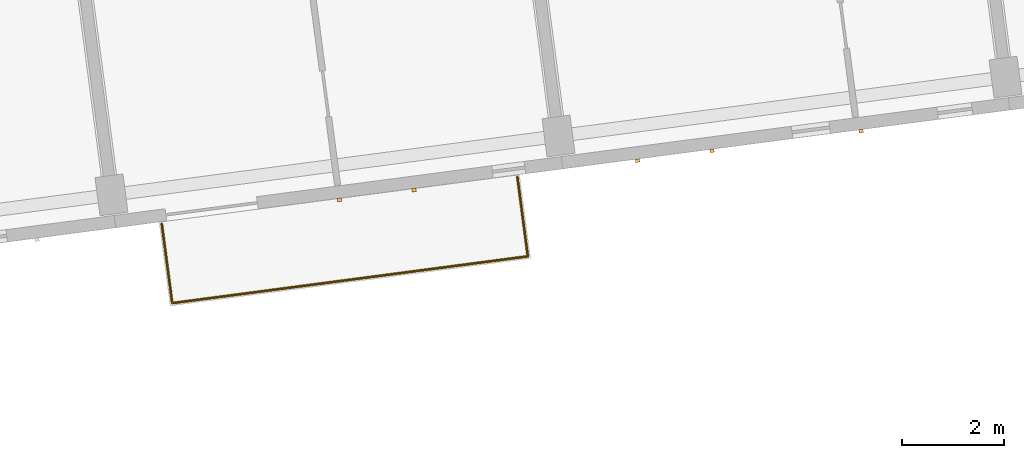
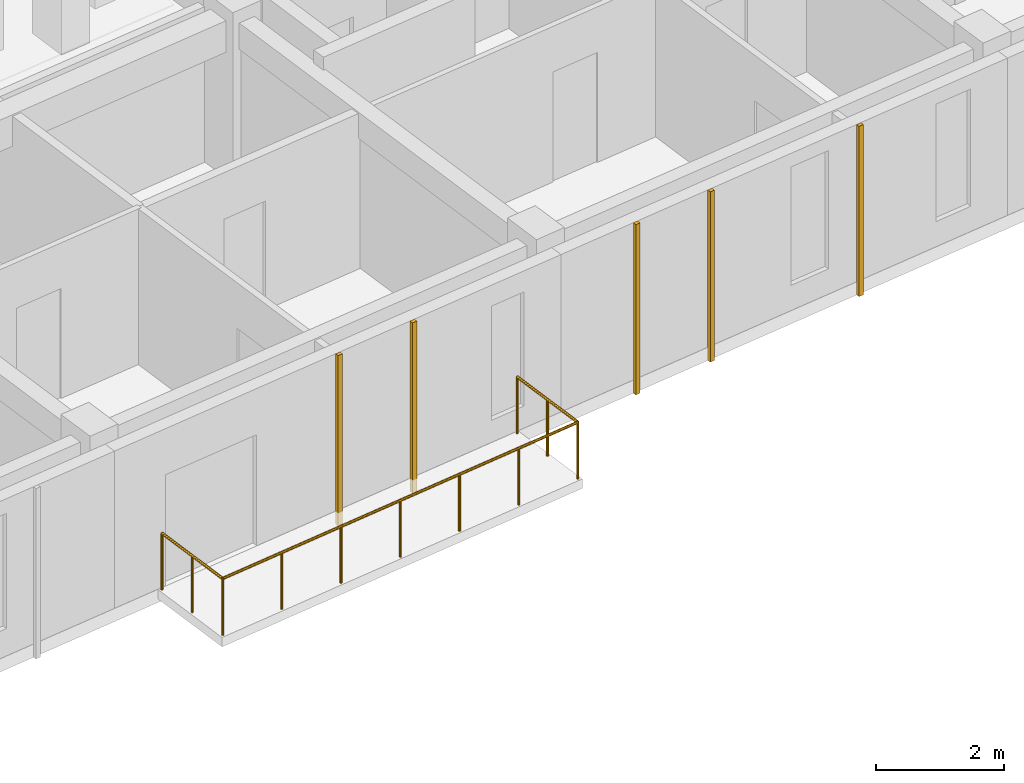
# One storey, part 44 of 68: 5 coverings, 1 railing.
"""IFC4 building model written with IfcOpenShell, lengths in metres."""

import ifcopenshell
import ifcopenshell.guid

model = None  # the IFC model being written
_history = None  # IfcOwnerHistory: only IFC2X3 demands one
_inside = {}  # id of a spatial element -> (the spatial element, [elements in it])
_under = {}  # id of a project, library or spatial element -> (it, [spatial elements below it])
_declared = {}  # id of a project -> (the project, [libraries it declares])
_typed = {}  # id of a type object -> (the type object, [elements of that type])
_made_of = {}  # id of a material, layer set ... -> (it, [elements and type objects made of it])


def new_model(schema):
    """Start an empty IFC model of exactly this schema.

    Asked for "IFC4X3", IfcOpenShell would pick the latest addendum, in which some entities
    have other attributes; the version numbers below select the first issue.
    IFC2X3 requires an IfcOwnerHistory on every rooted entity: one is made here for all.
    """
    global model, _history
    if schema == "IFC4X3":
        model = ifcopenshell.file(schema_version=(4, 3, 0, 0))
    else:
        model = ifcopenshell.file(schema=schema)
    _inside.clear()
    _under.clear()
    _declared.clear()
    _typed.clear()
    _made_of.clear()
    _history = None
    if model.schema == "IFC2X3":
        org = make("IfcOrganization", Name="unknown")
        user = make(
            "IfcPersonAndOrganization",
            ThePerson=make("IfcPerson", FamilyName="unknown"),
            TheOrganization=org,
        )
        app = make(
            "IfcApplication",
            ApplicationDeveloper=org,
            Version="unknown",
            ApplicationFullName="unknown",
            ApplicationIdentifier="unknown",
        )
        _history = make(
            "IfcOwnerHistory",
            OwningUser=user,
            OwningApplication=app,
            ChangeAction="ADDED",
            CreationDate=0,
        )
    return model


def make(cls, **values):
    """One entity of the class cls with the attributes given. An attribute that is None is left unset."""
    return model.create_entity(
        cls, **{name: value for name, value in values.items() if value is not None}
    )


def rooted(cls, **values):
    """An entity with a GlobalId (a new one), such as an element, a storey or a relation."""
    return make(cls, GlobalId=ifcopenshell.guid.new(), OwnerHistory=_history, **values)


def si_unit(unit_type, name, prefix=None):
    """IfcSIUnit, for example si_unit("LENGTHUNIT", "METRE", prefix="MILLI")."""
    return make("IfcSIUnit", UnitType=unit_type, Prefix=prefix, Name=name)


def assignment(units):
    """IfcUnitAssignment: the units of a project."""
    return None if units is None else make("IfcUnitAssignment", Units=units)


def point(xyz):
    """IfcCartesianPoint."""
    return None if xyz is None else make("IfcCartesianPoint", Coordinates=xyz)


def direction(xyz):
    """IfcDirection."""
    return None if xyz is None else make("IfcDirection", DirectionRatios=xyz)


def frame(location, z_axis=None, x_axis=None):
    """IfcAxis2Placement3D, a coordinate frame: its origin and axes. An axis left out is left unset."""
    return make(
        "IfcAxis2Placement3D",
        Location=point(location),
        Axis=direction(z_axis),
        RefDirection=direction(x_axis),
    )


def frame_2d(location, x_axis=None):
    """IfcAxis2Placement2D, a coordinate frame in the plane: its origin and x axis."""
    return make(
        "IfcAxis2Placement2D", Location=point(location), RefDirection=direction(x_axis)
    )


def origin():
    """The frame at (0, 0, 0) with its axes left unset."""
    return frame((0.0, 0.0, 0.0))


def origin_2d():
    """The frame at (0, 0) in the plane with its x axis left unset."""
    return frame_2d((0.0, 0.0))


def place(relative_to, where):
    """IfcLocalPlacement: puts the frame where relative to a parent placement (None: the world)."""
    return make(
        "IfcLocalPlacement", PlacementRelTo=relative_to, RelativePlacement=where
    )


def context(
    kind, dimensions, precision=None, world=None, true_north=None, identifier=None
):
    """IfcGeometricRepresentationContext, for example the 3D "Model" context."""
    return make(
        "IfcGeometricRepresentationContext",
        ContextIdentifier=identifier,
        ContextType=kind,
        CoordinateSpaceDimension=dimensions,
        Precision=precision,
        WorldCoordinateSystem=world,
        TrueNorth=true_north,
    )


def subcontext(parent, identifier, kind, view, scale=None):
    """IfcGeometricRepresentationSubContext, for example "Body" below "Model"."""
    return make(
        "IfcGeometricRepresentationSubContext",
        ContextIdentifier=identifier,
        ContextType=kind,
        ParentContext=parent,
        TargetScale=scale,
        TargetView=view,
    )


def project(units=None, contexts=None):
    """IfcProject with its units and contexts."""
    return rooted(
        "IfcProject",
        Name="project",
        RepresentationContexts=contexts,
        UnitsInContext=assignment(units),
    )


def spatial(cls, under=None, at=None, **own):
    """A site, building, storey or space (cls), placed at a placement, below another one or the project."""
    s = rooted(cls, ObjectPlacement=at, **own)
    if under is not None:
        _under.setdefault(under.id(), (under, []))[1].append(s)
    return s


def profile(cls, at=None, kind="AREA", **sizes):
    """A parametric profile (cls). Its sizes go by their IFC names, for example OverallWidth=200.0."""
    return make(cls, ProfileType=kind, Position=at, **sizes)


def rectangle(**sizes):
    """IfcRectangleProfileDef."""
    return profile("IfcRectangleProfileDef", **sizes)


def circle(**sizes):
    """IfcCircleProfileDef."""
    return profile("IfcCircleProfileDef", **sizes)


def extrude(swept, where, along, depth):
    """IfcExtrudedAreaSolid: the profile swept, set in the frame where, extruded along a direction by depth."""
    return make(
        "IfcExtrudedAreaSolid",
        SweptArea=swept,
        Position=where,
        ExtrudedDirection=direction(along),
        Depth=depth,
    )


def shape(context_of_items, identifier, shape_type, items):
    """IfcShapeRepresentation: the items that make up one representation, for example the "Body"."""
    return make(
        "IfcShapeRepresentation",
        ContextOfItems=context_of_items,
        RepresentationIdentifier=identifier,
        RepresentationType=shape_type,
        Items=items,
    )


def material(Name=None, Category=None):
    """IfcMaterial."""
    return make("IfcMaterial", Name=Name, Category=Category)


def layer(
    of_material, thickness, ventilated=None, Name=None, Category=None, Priority=None
):
    """IfcMaterialLayer: one layer of a wall or slab, of a material (None: an air gap)."""
    return make(
        "IfcMaterialLayer",
        Material=of_material,
        LayerThickness=thickness,
        IsVentilated=ventilated,
        Name=Name,
        Category=Category,
        Priority=Priority,
    )


def layer_set(layers, Name=None):
    """IfcMaterialLayerSet."""
    return make("IfcMaterialLayerSet", MaterialLayers=layers, LayerSetName=Name)


def made_of(thing, what):
    """Note that an element or type object is made of a material, layer set ...; save() writes the relation."""
    if what is not None:
        _made_of.setdefault(what.id(), (what, []))[1].append(thing)
    return thing


def type_object(cls, material=None, **own):
    """A type object (cls), such as IfcWallType, which elements share."""
    return made_of(rooted(cls, **own), material)


def element(
    cls,
    number,
    at=None,
    inside=None,
    cuts=None,
    type_object=None,
    material=None,
    context=None,
    identifier="Body",
    shape_type=None,
    held_by="IfcProductDefinitionShape",
    body=None,
    shapes=None,
    **own,
):
    """One element of the class cls, such as IfcWall. Its Tag is "e" and its number.

    at: its placement. inside: the storey or other place that contains it. cuts: it is an
    opening in that element (IfcRelVoidsElement). A single representation is given by context,
    identifier, shape_type and body (its items); several are given by shapes. held_by: the class
    of the entity that holds the representations. save() writes the other relations.
    """
    e = rooted(cls, Tag="e%d" % number, ObjectPlacement=at, **own)
    if body is not None:
        shapes = [shape(context, identifier, shape_type, body)]
    if shapes is not None:
        e.Representation = make(held_by, Representations=shapes)
    if inside is not None:
        _inside.setdefault(inside.id(), (inside, []))[1].append(e)
    if cuts is not None:
        rooted(
            "IfcRelVoidsElement", RelatingBuildingElement=cuts, RelatedOpeningElement=e
        )
    if type_object is not None:
        _typed.setdefault(type_object.id(), (type_object, []))[1].append(e)
    return made_of(e, material)


def aggregate(whole, parts):
    """IfcRelAggregates: a whole, such as a stair, and the parts it consists of."""
    return rooted("IfcRelAggregates", RelatingObject=whole, RelatedObjects=parts)


def save(model, path):
    """Write the relations noted so far, then the file.

    IfcRelAggregates (storeys below a building ...), IfcRelContainedInSpatialStructure (elements
    in a storey), IfcRelDefinesByType, IfcRelAssociatesMaterial and IfcRelDeclares: one each for
    every whole, place, type object, material and project.
    """
    for whole, parts in _under.values():
        aggregate(whole, parts)
    for where, things in _inside.values():
        rooted(
            "IfcRelContainedInSpatialStructure",
            RelatedElements=things,
            RelatingStructure=where,
        )
    for kind, things in _typed.values():
        rooted("IfcRelDefinesByType", RelatedObjects=things, RelatingType=kind)
    for what, things in _made_of.values():
        rooted("IfcRelAssociatesMaterial", RelatedObjects=things, RelatingMaterial=what)
    for by, libraries in _declared.values():
        rooted("IfcRelDeclares", RelatingContext=by, RelatedDefinitions=libraries)
    model.write(path)


model = new_model("IFC4")

# Units and contexts
model_context = context("Model", 3, precision=1e-05, world=origin(), true_north=direction((0.0, 1.0)))
body_context = subcontext(model_context, "Body", "Model", "MODEL_VIEW")
ifc_project = project(units=[si_unit("LENGTHUNIT", "METRE"), si_unit("AREAUNIT", "SQUARE_METRE"), si_unit("VOLUMEUNIT", "CUBIC_METRE"), si_unit("PLANEANGLEUNIT", "RADIAN"), si_unit("MASSUNIT", "GRAM", prefix="KILO")], contexts=[model_context])

# Site, building, storey
site_placement = place(None, origin())
site = spatial("IfcSite", under=ifc_project, at=site_placement, CompositionType="ELEMENT")
building_placement = place(site_placement, origin())
building = spatial("IfcBuilding", under=site, at=building_placement, Name="Kestramere Prow Commons", CompositionType="ELEMENT")
storey_placement = place(building_placement, frame((0.0, 0.0, 18.14990234375)))
storey = spatial("IfcBuildingStorey", under=building, at=storey_placement, Name="L05", CompositionType="ELEMENT", Elevation=18.14990234375)

# Coverings
ifc_material_1 = material(Name="Weathered Zinc-Titanium Standing-Seam Cladding")
ifc_layer = layer(ifc_material_1, 0.074951171875)
ifc_layer_set = layer_set([ifc_layer], Name="Weathered Zinc-Titanium Standing-Seam Cladding")
covering_type = type_object("IfcCoveringType", Name="COV-CLAD-SEAM", PredefinedType="CLADDING", material=ifc_layer_set)
for number, where, z_axis, x_axis, name in (
    (1, (25.82958984375, 73.24267578125, -0.25), (0.0, 0.0, 1.0), (-0.991444861374, -0.13052619222, 0.0), "EW-A-L05-S-1 Standing-Seam Rib 2"),
    (2, (24.37548828125, 73.05126953125, -0.25), (0.0, 0.0, 1.0), (-0.991444861374, -0.13052619222, 0.0), "EW-A-L05-S-1 Standing-Seam Rib 3"),
    (3, (34.554443359375, 74.391357421875, -0.25), (0.0, 0.0, 1.0), (-0.991444861374, -0.13052619222, 0.0), "EW-A-L05-S-2 Standing-Seam Rib 2"),
    (4, (31.64599609375, 74.008544921875, -0.25), (0.0, 0.0, 1.0), (-0.991444861374, -0.13052619222, 0.0), "EW-A-L05-S-2 Standing-Seam Rib 4"),
    (5, (30.19189453125, 73.81689453125, -0.25), (0.0, 0.0, 1.0), (-0.991444861374, -0.13052619222, 0.0), "EW-A-L05-S-2 Standing-Seam Rib 5"),
):
    element("IfcCovering", number, at=place(storey_placement, frame(where, z_axis=z_axis, x_axis=x_axis)), inside=storey, type_object=covering_type, Name=name, PredefinedType="CLADDING", context=body_context, shape_type="SweptSolid", body=[
        extrude(rectangle(XDim=0.0849609375, YDim=0.06494140625, at=origin_2d()), origin(), (0.0, 0.0, 1.0), 3.25),
    ])

# Railing
ifc_material_2 = material(Name="Powder-Coated Aluminium 6063-T6", Category="aluminium")
railing_type = type_object("IfcRailingType", Name="GRD-BALC-1100", PredefinedType="BALUSTRADE", material=ifc_material_2)
railing_placement = place(storey_placement, frame((20.906982421875, 72.58203125, 0.0)))
element("IfcRailing", 6, at=railing_placement, inside=storey, type_object=railing_type, Name="Block A L05 Balcony Guardrail 2", PredefinedType="BALUSTRADE", context=body_context, shape_type="SweptSolid", body=[
    extrude(circle(Radius=0.02392578125, at=origin_2d()), frame((0.0, 0.0, 1.076171875), z_axis=(0.130523335136, -0.991445237512, 0.0), x_axis=(0.991445237512, 0.130523335136, 0.0)), (0.0, 0.0, 1.0), 1.56005859375),
    extrude(circle(Radius=0.02392578125, at=origin_2d()), frame((0.20361328125, -1.546630859375, 1.076171875), z_axis=(0.991447052715, 0.13050954625, 0.0), x_axis=(-0.13050954625, 0.991447052715, 0.0)), (0.0, 0.0, 1.0), 7.0),
    extrude(circle(Radius=0.02392578125, at=origin_2d()), frame((7.143798828125, -0.633056640625, 1.076171875), z_axis=(-0.130523335136, 0.991445237512, 0.0), x_axis=(-0.991445237512, -0.130523335136, 0.0)), (0.0, 0.0, 1.0), 1.56005859375),
    extrude(circle(Radius=0.02099609375, at=origin_2d()), origin(), (0.0, 0.0, 1.0), 1.052001953125),
    extrude(circle(Radius=0.02099609375, at=origin_2d()), frame((0.101806640625, -0.7734375, 0.0)), (0.0, 0.0, 1.0), 1.052001953125),
    extrude(circle(Radius=0.02099609375, at=origin_2d()), frame((0.20361328125, -1.546630859375, 0.0)), (0.0, 0.0, 1.0), 1.052001953125),
    extrude(circle(Radius=0.02099609375, at=origin_2d()), frame((1.3603515625, -1.394287109375, 0.0)), (0.0, 0.0, 1.0), 1.052001953125),
    extrude(circle(Radius=0.02099609375, at=origin_2d()), frame((2.51708984375, -1.2421875, 0.0)), (0.0, 0.0, 1.0), 1.052001953125),
    extrude(circle(Radius=0.02099609375, at=origin_2d()), frame((3.673828125, -1.08984375, 0.0)), (0.0, 0.0, 1.0), 1.052001953125),
    extrude(circle(Radius=0.02099609375, at=origin_2d()), frame((4.830322265625, -0.9375, 0.0)), (0.0, 0.0, 1.0), 1.052001953125),
    extrude(circle(Radius=0.02099609375, at=origin_2d()), frame((5.987060546875, -0.785400390625, 0.0)), (0.0, 0.0, 1.0), 1.052001953125),
    extrude(circle(Radius=0.02099609375, at=origin_2d()), frame((7.143798828125, -0.633056640625, 0.0)), (0.0, 0.0, 1.0), 1.052001953125),
    extrude(circle(Radius=0.02099609375, at=origin_2d()), frame((7.0419921875, 0.14013671875, 0.0)), (0.0, 0.0, 1.0), 1.052001953125),
    extrude(circle(Radius=0.02099609375, at=origin_2d()), frame((6.940185546875, 0.91357421875, 0.0)), (0.0, 0.0, 1.0), 1.052001953125),
])

save(model, "model.ifc")
